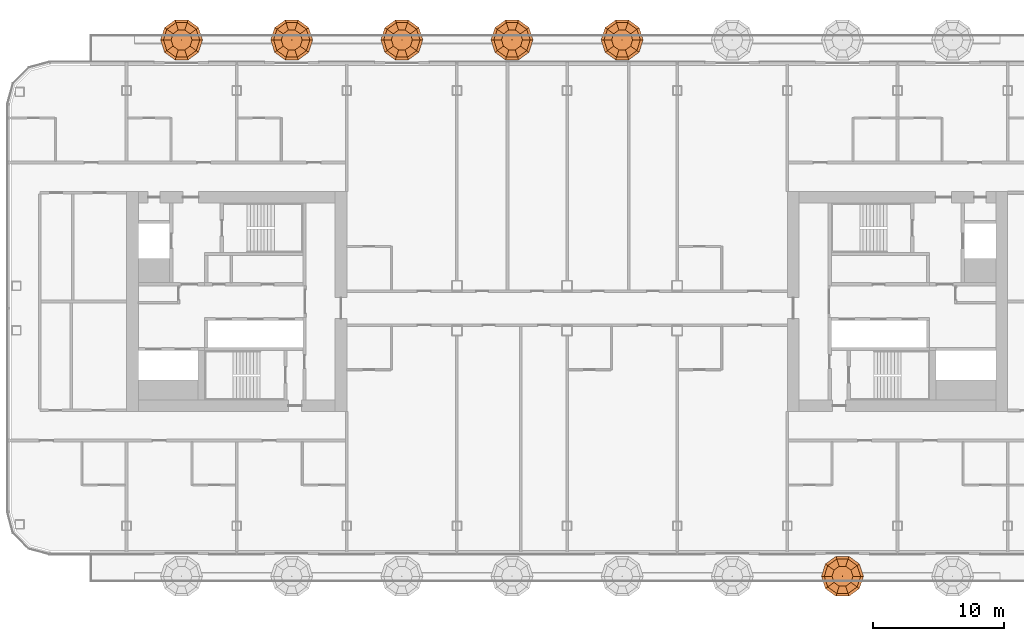
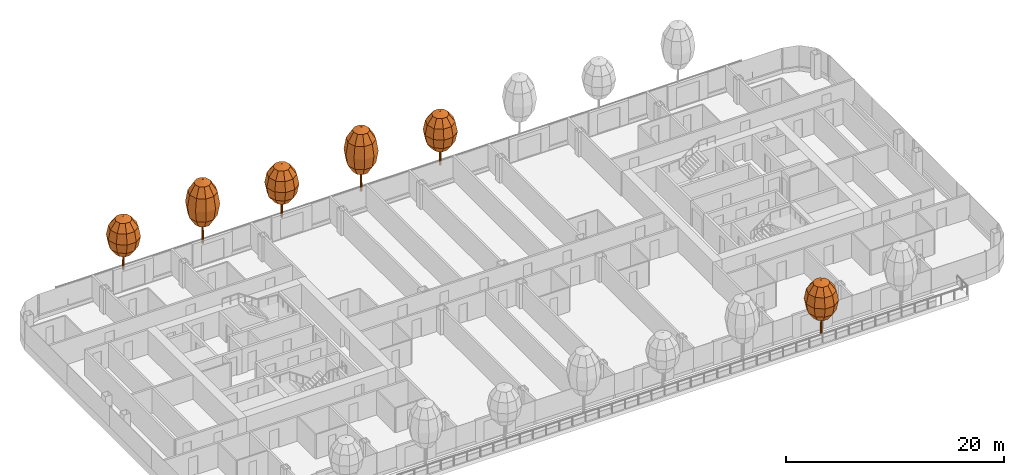
# One storey, part 28 of 29: 6 geographic elements.
"""IFC4 building model written with IfcOpenShell, lengths in metres."""

from ifc_helpers import new_model, si_unit, direction, frame, origin, place, context, subcontext, project, spatial, triangles, material, type_object, element, save


model = new_model("IFC4")

# Units and contexts
model_context = context("Model", 3, precision=1e-05, world=origin(), true_north=direction((0.0, 1.0)))
body_context = subcontext(model_context, "Body", "Model", "MODEL_VIEW")
ifc_project = project(units=[si_unit("LENGTHUNIT", "METRE"), si_unit("AREAUNIT", "SQUARE_METRE"), si_unit("VOLUMEUNIT", "CUBIC_METRE"), si_unit("PLANEANGLEUNIT", "RADIAN"), si_unit("MASSUNIT", "GRAM", prefix="KILO")], contexts=[model_context])

# Site, building, storey
site_placement = place(None, origin())
site = spatial("IfcSite", under=ifc_project, at=site_placement, CompositionType="ELEMENT")
building_placement = place(site_placement, origin())
building = spatial("IfcBuilding", under=site, at=building_placement, Name="Hakoniwa Tower and Hamabe Station Hall", CompositionType="ELEMENT")
storey_placement = place(building_placement, frame((0.0, 0.0, 163.0)))
storey = spatial("IfcBuildingStorey", under=building, at=storey_placement, Name="L46", CompositionType="ELEMENT", Elevation=163.0)

# Geographic elements
ifc_material_1 = material(Name="Tree foliage")
geographic_element_type_1 = type_object("IfcGeographicElementType", Name="Japanese maple 7.2 m", PredefinedType="USERDEFINED", material=ifc_material_1)
geographic_element_1_placement = place(storey_placement, frame((-21.0, 19.949951171875, 0.89990234375)))
element("IfcGeographicElement", 1, at=geographic_element_1_placement, inside=storey, type_object=geographic_element_type_1, Name="Japanese maple 7-2 m", ObjectType="TREE", PredefinedType="USERDEFINED", context=body_context, shape_type="Tessellation", body=[
    triangles([(0.125, 0.0, 0.0), (0.08837890625, 0.08837890625, 0.0), (0.0, 0.125, 0.0), (-0.08837890625, 0.08837890625, 0.0), (-0.125, 0.0, 0.0), (-0.08837890625, -0.08837890625, 0.0), (0.0, -0.125, 0.0), (0.08837890625, -0.08837890625, 0.0), (0.074951171875, 0.0, 4.348876953125), (0.052978515625, 0.052978515625, 4.348876953125), (0.0, 0.074951171875, 4.348876953125), (-0.052978515625, 0.052978515625, 4.348876953125), (-0.074951171875, 0.0, 4.348876953125), (-0.052978515625, -0.052978515625, 4.348876953125), (0.0, -0.074951171875, 4.348876953125), (0.052978515625, -0.052978515625, 4.348876953125), (0.0, 0.0, 0.0), (0.0, 0.0, 4.348876953125)], [[1, 2, 10], [1, 10, 9], [17, 2, 1], [18, 9, 10], [2, 3, 11], [2, 11, 10], [17, 3, 2], [18, 10, 11], [3, 4, 12], [3, 12, 11], [17, 4, 3], [18, 11, 12], [4, 5, 13], [4, 13, 12], [17, 5, 4], [18, 12, 13], [5, 6, 14], [5, 14, 13], [17, 6, 5], [18, 13, 14], [6, 7, 15], [6, 15, 14], [17, 7, 6], [18, 14, 15], [7, 8, 16], [7, 16, 15], [17, 8, 7], [18, 15, 16], [8, 1, 9], [8, 9, 16], [17, 1, 8], [18, 16, 9]], closed=True),
    triangles([(0.0, 0.0, 2.015869140625), (0.800048828125, 0.0, 2.36328125), (0.647216796875, 0.47021484375, 2.36328125), (0.247314453125, 0.7607421875, 2.36328125), (-0.247314453125, 0.7607421875, 2.36328125), (-0.647216796875, 0.47021484375, 2.36328125), (-0.800048828125, 0.0, 2.36328125), (-0.647216796875, -0.47021484375, 2.36328125), (-0.247314453125, -0.7607421875, 2.36328125), (0.247314453125, -0.7607421875, 2.36328125), (0.647216796875, -0.47021484375, 2.36328125), (1.385498046875, 0.0, 3.31201171875), (1.12109375, 0.814453125, 3.31201171875), (0.42822265625, 1.31787109375, 3.31201171875), (-0.42822265625, 1.31787109375, 3.31201171875), (-1.12109375, 0.814453125, 3.31201171875), (-1.385498046875, 0.0, 3.31201171875), (-1.12109375, -0.814453125, 3.31201171875), (-0.42822265625, -1.31787109375, 3.31201171875), (0.42822265625, -1.31787109375, 3.31201171875), (1.12109375, -0.814453125, 3.31201171875), (1.60009765625, 0.0, 4.60791015625), (1.29443359375, 0.9404296875, 4.60791015625), (0.494384765625, 1.521728515625, 4.60791015625), (-0.494384765625, 1.521728515625, 4.60791015625), (-1.29443359375, 0.9404296875, 4.60791015625), (-1.60009765625, 0.0, 4.60791015625), (-1.29443359375, -0.9404296875, 4.60791015625), (-0.494384765625, -1.521728515625, 4.60791015625), (0.494384765625, -1.521728515625, 4.60791015625), (1.29443359375, -0.9404296875, 4.60791015625), (1.385498046875, 0.0, 5.904052734375), (1.12109375, 0.814453125, 5.904052734375), (0.42822265625, 1.31787109375, 5.904052734375), (-0.42822265625, 1.31787109375, 5.904052734375), (-1.12109375, 0.814453125, 5.904052734375), (-1.385498046875, 0.0, 5.904052734375), (-1.12109375, -0.814453125, 5.904052734375), (-0.42822265625, -1.31787109375, 5.904052734375), (0.42822265625, -1.31787109375, 5.904052734375), (1.12109375, -0.814453125, 5.904052734375), (0.800048828125, 0.0, 6.852783203125), (0.647216796875, 0.47021484375, 6.852783203125), (0.247314453125, 0.7607421875, 6.852783203125), (-0.247314453125, 0.7607421875, 6.852783203125), (-0.647216796875, 0.47021484375, 6.852783203125), (-0.800048828125, 0.0, 6.852783203125), (-0.647216796875, -0.47021484375, 6.852783203125), (-0.247314453125, -0.7607421875, 6.852783203125), (0.247314453125, -0.7607421875, 6.852783203125), (0.647216796875, -0.47021484375, 6.852783203125), (0.0, 0.0, 7.199951171875)], [[1, 3, 2], [1, 4, 3], [1, 5, 4], [1, 6, 5], [1, 7, 6], [1, 8, 7], [1, 9, 8], [1, 10, 9], [1, 11, 10], [1, 2, 11], [2, 3, 13], [2, 13, 12], [3, 4, 14], [3, 14, 13], [4, 5, 15], [4, 15, 14], [5, 6, 16], [5, 16, 15], [6, 7, 17], [6, 17, 16], [7, 8, 18], [7, 18, 17], [8, 9, 19], [8, 19, 18], [9, 10, 20], [9, 20, 19], [10, 11, 21], [10, 21, 20], [11, 2, 12], [11, 12, 21], [12, 13, 23], [12, 23, 22], [13, 14, 24], [13, 24, 23], [14, 15, 25], [14, 25, 24], [15, 16, 26], [15, 26, 25], [16, 17, 27], [16, 27, 26], [17, 18, 28], [17, 28, 27], [18, 19, 29], [18, 29, 28], [19, 20, 30], [19, 30, 29], [20, 21, 31], [20, 31, 30], [21, 12, 22], [21, 22, 31], [22, 23, 33], [22, 33, 32], [23, 24, 34], [23, 34, 33], [24, 25, 35], [24, 35, 34], [25, 26, 36], [25, 36, 35], [26, 27, 37], [26, 37, 36], [27, 28, 38], [27, 38, 37], [28, 29, 39], [28, 39, 38], [29, 30, 40], [29, 40, 39], [30, 31, 41], [30, 41, 40], [31, 22, 32], [31, 32, 41], [32, 33, 43], [32, 43, 42], [33, 34, 44], [33, 44, 43], [34, 35, 45], [34, 45, 44], [35, 36, 46], [35, 46, 45], [36, 37, 47], [36, 47, 46], [37, 38, 48], [37, 48, 47], [38, 39, 49], [38, 49, 48], [39, 40, 50], [39, 50, 49], [40, 41, 51], [40, 51, 50], [41, 32, 42], [41, 42, 51], [52, 42, 43], [52, 43, 44], [52, 44, 45], [52, 45, 46], [52, 46, 47], [52, 47, 48], [52, 48, 49], [52, 49, 50], [52, 50, 51], [52, 51, 42]], closed=True),
])
geographic_element_2_placement = place(storey_placement, frame((-4.199951171875, 19.949951171875, 0.89990234375)))
element("IfcGeographicElement", 2, at=geographic_element_2_placement, inside=storey, type_object=geographic_element_type_1, Name="Japanese maple 7-2 m", ObjectType="TREE", PredefinedType="USERDEFINED", context=body_context, shape_type="Tessellation", body=[
    triangles([(0.125, 0.0, 0.0), (0.08837890625, 0.08837890625, 0.0), (0.0, 0.125, 0.0), (-0.08837890625, 0.08837890625, 0.0), (-0.125, 0.0, 0.0), (-0.08837890625, -0.08837890625, 0.0), (0.0, -0.125, 0.0), (0.08837890625, -0.08837890625, 0.0), (0.074951171875, 0.0, 4.348876953125), (0.052978515625, 0.052978515625, 4.348876953125), (0.0, 0.074951171875, 4.348876953125), (-0.052978515625, 0.052978515625, 4.348876953125), (-0.074951171875, 0.0, 4.348876953125), (-0.052978515625, -0.052978515625, 4.348876953125), (0.0, -0.074951171875, 4.348876953125), (0.052978515625, -0.052978515625, 4.348876953125), (0.0, 0.0, 0.0), (0.0, 0.0, 4.348876953125)], [[1, 2, 10], [1, 10, 9], [17, 2, 1], [18, 9, 10], [2, 3, 11], [2, 11, 10], [17, 3, 2], [18, 10, 11], [3, 4, 12], [3, 12, 11], [17, 4, 3], [18, 11, 12], [4, 5, 13], [4, 13, 12], [17, 5, 4], [18, 12, 13], [5, 6, 14], [5, 14, 13], [17, 6, 5], [18, 13, 14], [6, 7, 15], [6, 15, 14], [17, 7, 6], [18, 14, 15], [7, 8, 16], [7, 16, 15], [17, 8, 7], [18, 15, 16], [8, 1, 9], [8, 9, 16], [17, 1, 8], [18, 16, 9]], closed=True),
    triangles([(0.0, 0.0, 2.015869140625), (0.800048828125, 0.0, 2.36328125), (0.647216796875, 0.47021484375, 2.36328125), (0.247314453125, 0.7607421875, 2.36328125), (-0.247314453125, 0.7607421875, 2.36328125), (-0.647216796875, 0.47021484375, 2.36328125), (-0.800048828125, 0.0, 2.36328125), (-0.647216796875, -0.47021484375, 2.36328125), (-0.247314453125, -0.7607421875, 2.36328125), (0.247314453125, -0.7607421875, 2.36328125), (0.647216796875, -0.47021484375, 2.36328125), (1.385498046875, 0.0, 3.31201171875), (1.12109375, 0.814453125, 3.31201171875), (0.42822265625, 1.31787109375, 3.31201171875), (-0.42822265625, 1.31787109375, 3.31201171875), (-1.12109375, 0.814453125, 3.31201171875), (-1.385498046875, 0.0, 3.31201171875), (-1.12109375, -0.814453125, 3.31201171875), (-0.42822265625, -1.31787109375, 3.31201171875), (0.42822265625, -1.31787109375, 3.31201171875), (1.12109375, -0.814453125, 3.31201171875), (1.60009765625, 0.0, 4.60791015625), (1.29443359375, 0.9404296875, 4.60791015625), (0.494384765625, 1.521728515625, 4.60791015625), (-0.494384765625, 1.521728515625, 4.60791015625), (-1.29443359375, 0.9404296875, 4.60791015625), (-1.60009765625, 0.0, 4.60791015625), (-1.29443359375, -0.9404296875, 4.60791015625), (-0.494384765625, -1.521728515625, 4.60791015625), (0.494384765625, -1.521728515625, 4.60791015625), (1.29443359375, -0.9404296875, 4.60791015625), (1.385498046875, 0.0, 5.904052734375), (1.12109375, 0.814453125, 5.904052734375), (0.42822265625, 1.31787109375, 5.904052734375), (-0.42822265625, 1.31787109375, 5.904052734375), (-1.12109375, 0.814453125, 5.904052734375), (-1.385498046875, 0.0, 5.904052734375), (-1.12109375, -0.814453125, 5.904052734375), (-0.42822265625, -1.31787109375, 5.904052734375), (0.42822265625, -1.31787109375, 5.904052734375), (1.12109375, -0.814453125, 5.904052734375), (0.800048828125, 0.0, 6.852783203125), (0.647216796875, 0.47021484375, 6.852783203125), (0.247314453125, 0.7607421875, 6.852783203125), (-0.247314453125, 0.7607421875, 6.852783203125), (-0.647216796875, 0.47021484375, 6.852783203125), (-0.800048828125, 0.0, 6.852783203125), (-0.647216796875, -0.47021484375, 6.852783203125), (-0.247314453125, -0.7607421875, 6.852783203125), (0.247314453125, -0.7607421875, 6.852783203125), (0.647216796875, -0.47021484375, 6.852783203125), (0.0, 0.0, 7.199951171875)], [[1, 3, 2], [1, 4, 3], [1, 5, 4], [1, 6, 5], [1, 7, 6], [1, 8, 7], [1, 9, 8], [1, 10, 9], [1, 11, 10], [1, 2, 11], [2, 3, 13], [2, 13, 12], [3, 4, 14], [3, 14, 13], [4, 5, 15], [4, 15, 14], [5, 6, 16], [5, 16, 15], [6, 7, 17], [6, 17, 16], [7, 8, 18], [7, 18, 17], [8, 9, 19], [8, 19, 18], [9, 10, 20], [9, 20, 19], [10, 11, 21], [10, 21, 20], [11, 2, 12], [11, 12, 21], [12, 13, 23], [12, 23, 22], [13, 14, 24], [13, 24, 23], [14, 15, 25], [14, 25, 24], [15, 16, 26], [15, 26, 25], [16, 17, 27], [16, 27, 26], [17, 18, 28], [17, 28, 27], [18, 19, 29], [18, 29, 28], [19, 20, 30], [19, 30, 29], [20, 21, 31], [20, 31, 30], [21, 12, 22], [21, 22, 31], [22, 23, 33], [22, 33, 32], [23, 24, 34], [23, 34, 33], [24, 25, 35], [24, 35, 34], [25, 26, 36], [25, 36, 35], [26, 27, 37], [26, 37, 36], [27, 28, 38], [27, 38, 37], [28, 29, 39], [28, 39, 38], [29, 30, 40], [29, 40, 39], [30, 31, 41], [30, 41, 40], [31, 22, 32], [31, 32, 41], [32, 33, 43], [32, 43, 42], [33, 34, 44], [33, 44, 43], [34, 35, 45], [34, 45, 44], [35, 36, 46], [35, 46, 45], [36, 37, 47], [36, 47, 46], [37, 38, 48], [37, 48, 47], [38, 39, 49], [38, 49, 48], [39, 40, 50], [39, 50, 49], [40, 41, 51], [40, 51, 50], [41, 32, 42], [41, 42, 51], [52, 42, 43], [52, 43, 44], [52, 44, 45], [52, 45, 46], [52, 46, 47], [52, 47, 48], [52, 48, 49], [52, 49, 50], [52, 50, 51], [52, 51, 42]], closed=True),
])
ifc_material_2 = material(Name="Tree foliage")
geographic_element_type_2 = type_object("IfcGeographicElementType", Name="Osmanthus 6.0 m", PredefinedType="USERDEFINED", material=ifc_material_2)
geographic_element_3_placement = place(storey_placement, frame((-29.39990234375, 19.949951171875, 0.89990234375)))
element("IfcGeographicElement", 3, at=geographic_element_3_placement, inside=storey, type_object=geographic_element_type_2, Name="Osmanthus 6-0 m", ObjectType="TREE", PredefinedType="USERDEFINED", context=body_context, shape_type="Tessellation", body=[
    triangles([(0.125, 0.0, 0.0), (0.08837890625, 0.08837890625, 0.0), (0.0, 0.125, 0.0), (-0.08837890625, 0.08837890625, 0.0), (-0.125, 0.0, 0.0), (-0.08837890625, -0.08837890625, 0.0), (0.0, -0.125, 0.0), (0.08837890625, -0.08837890625, 0.0), (0.074951171875, 0.0, 3.6240234375), (0.052978515625, 0.052978515625, 3.6240234375), (0.0, 0.074951171875, 3.6240234375), (-0.052978515625, 0.052978515625, 3.6240234375), (-0.074951171875, 0.0, 3.6240234375), (-0.052978515625, -0.052978515625, 3.6240234375), (0.0, -0.074951171875, 3.6240234375), (0.052978515625, -0.052978515625, 3.6240234375), (0.0, 0.0, 0.0), (0.0, 0.0, 3.6240234375)], [[1, 2, 10], [1, 10, 9], [17, 2, 1], [18, 9, 10], [2, 3, 11], [2, 11, 10], [17, 3, 2], [18, 10, 11], [3, 4, 12], [3, 12, 11], [17, 4, 3], [18, 11, 12], [4, 5, 13], [4, 13, 12], [17, 5, 4], [18, 12, 13], [5, 6, 14], [5, 14, 13], [17, 6, 5], [18, 13, 14], [6, 7, 15], [6, 15, 14], [17, 7, 6], [18, 14, 15], [7, 8, 16], [7, 16, 15], [17, 8, 7], [18, 15, 16], [8, 1, 9], [8, 9, 16], [17, 1, 8], [18, 16, 9]], closed=True),
    triangles([(0.0, 0.0, 1.679931640625), (0.800048828125, 0.0, 1.969482421875), (0.647216796875, 0.47021484375, 1.969482421875), (0.247314453125, 0.7607421875, 1.969482421875), (-0.247314453125, 0.7607421875, 1.969482421875), (-0.647216796875, 0.47021484375, 1.969482421875), (-0.800048828125, 0.0, 1.969482421875), (-0.647216796875, -0.47021484375, 1.969482421875), (-0.247314453125, -0.7607421875, 1.969482421875), (0.247314453125, -0.7607421875, 1.969482421875), (0.647216796875, -0.47021484375, 1.969482421875), (1.385498046875, 0.0, 2.760009765625), (1.12109375, 0.814453125, 2.760009765625), (0.42822265625, 1.31787109375, 2.760009765625), (-0.42822265625, 1.31787109375, 2.760009765625), (-1.12109375, 0.814453125, 2.760009765625), (-1.385498046875, 0.0, 2.760009765625), (-1.12109375, -0.814453125, 2.760009765625), (-0.42822265625, -1.31787109375, 2.760009765625), (0.42822265625, -1.31787109375, 2.760009765625), (1.12109375, -0.814453125, 2.760009765625), (1.60009765625, 0.0, 3.840087890625), (1.29443359375, 0.9404296875, 3.840087890625), (0.494384765625, 1.521728515625, 3.840087890625), (-0.494384765625, 1.521728515625, 3.840087890625), (-1.29443359375, 0.9404296875, 3.840087890625), (-1.60009765625, 0.0, 3.840087890625), (-1.29443359375, -0.9404296875, 3.840087890625), (-0.494384765625, -1.521728515625, 3.840087890625), (0.494384765625, -1.521728515625, 3.840087890625), (1.29443359375, -0.9404296875, 3.840087890625), (1.385498046875, 0.0, 4.919921875), (1.12109375, 0.814453125, 4.919921875), (0.42822265625, 1.31787109375, 4.919921875), (-0.42822265625, 1.31787109375, 4.919921875), (-1.12109375, 0.814453125, 4.919921875), (-1.385498046875, 0.0, 4.919921875), (-1.12109375, -0.814453125, 4.919921875), (-0.42822265625, -1.31787109375, 4.919921875), (0.42822265625, -1.31787109375, 4.919921875), (1.12109375, -0.814453125, 4.919921875), (0.800048828125, 0.0, 5.710693359375), (0.647216796875, 0.47021484375, 5.710693359375), (0.247314453125, 0.7607421875, 5.710693359375), (-0.247314453125, 0.7607421875, 5.710693359375), (-0.647216796875, 0.47021484375, 5.710693359375), (-0.800048828125, 0.0, 5.710693359375), (-0.647216796875, -0.47021484375, 5.710693359375), (-0.247314453125, -0.7607421875, 5.710693359375), (0.247314453125, -0.7607421875, 5.710693359375), (0.647216796875, -0.47021484375, 5.710693359375), (0.0, 0.0, 6.0)], [[1, 3, 2], [1, 4, 3], [1, 5, 4], [1, 6, 5], [1, 7, 6], [1, 8, 7], [1, 9, 8], [1, 10, 9], [1, 11, 10], [1, 2, 11], [2, 3, 13], [2, 13, 12], [3, 4, 14], [3, 14, 13], [4, 5, 15], [4, 15, 14], [5, 6, 16], [5, 16, 15], [6, 7, 17], [6, 17, 16], [7, 8, 18], [7, 18, 17], [8, 9, 19], [8, 19, 18], [9, 10, 20], [9, 20, 19], [10, 11, 21], [10, 21, 20], [11, 2, 12], [11, 12, 21], [12, 13, 23], [12, 23, 22], [13, 14, 24], [13, 24, 23], [14, 15, 25], [14, 25, 24], [15, 16, 26], [15, 26, 25], [16, 17, 27], [16, 27, 26], [17, 18, 28], [17, 28, 27], [18, 19, 29], [18, 29, 28], [19, 20, 30], [19, 30, 29], [20, 21, 31], [20, 31, 30], [21, 12, 22], [21, 22, 31], [22, 23, 33], [22, 33, 32], [23, 24, 34], [23, 34, 33], [24, 25, 35], [24, 35, 34], [25, 26, 36], [25, 36, 35], [26, 27, 37], [26, 37, 36], [27, 28, 38], [27, 38, 37], [28, 29, 39], [28, 39, 38], [29, 30, 40], [29, 40, 39], [30, 31, 41], [30, 41, 40], [31, 22, 32], [31, 32, 41], [32, 33, 43], [32, 43, 42], [33, 34, 44], [33, 44, 43], [34, 35, 45], [34, 45, 44], [35, 36, 46], [35, 46, 45], [36, 37, 47], [36, 47, 46], [37, 38, 48], [37, 48, 47], [38, 39, 49], [38, 49, 48], [39, 40, 50], [39, 50, 49], [40, 41, 51], [40, 51, 50], [41, 32, 42], [41, 42, 51], [52, 42, 43], [52, 43, 44], [52, 44, 45], [52, 45, 46], [52, 46, 47], [52, 47, 48], [52, 48, 49], [52, 49, 50], [52, 50, 51], [52, 51, 42]], closed=True),
])
geographic_element_4_placement = place(storey_placement, frame((-12.60009765625, 19.949951171875, 0.89990234375)))
element("IfcGeographicElement", 4, at=geographic_element_4_placement, inside=storey, type_object=geographic_element_type_2, Name="Osmanthus 6-0 m", ObjectType="TREE", PredefinedType="USERDEFINED", context=body_context, shape_type="Tessellation", body=[
    triangles([(0.125, 0.0, 0.0), (0.08837890625, 0.08837890625, 0.0), (0.0, 0.125, 0.0), (-0.08837890625, 0.08837890625, 0.0), (-0.125, 0.0, 0.0), (-0.08837890625, -0.08837890625, 0.0), (0.0, -0.125, 0.0), (0.08837890625, -0.08837890625, 0.0), (0.074951171875, 0.0, 3.6240234375), (0.052978515625, 0.052978515625, 3.6240234375), (0.0, 0.074951171875, 3.6240234375), (-0.052978515625, 0.052978515625, 3.6240234375), (-0.074951171875, 0.0, 3.6240234375), (-0.052978515625, -0.052978515625, 3.6240234375), (0.0, -0.074951171875, 3.6240234375), (0.052978515625, -0.052978515625, 3.6240234375), (0.0, 0.0, 0.0), (0.0, 0.0, 3.6240234375)], [[1, 2, 10], [1, 10, 9], [17, 2, 1], [18, 9, 10], [2, 3, 11], [2, 11, 10], [17, 3, 2], [18, 10, 11], [3, 4, 12], [3, 12, 11], [17, 4, 3], [18, 11, 12], [4, 5, 13], [4, 13, 12], [17, 5, 4], [18, 12, 13], [5, 6, 14], [5, 14, 13], [17, 6, 5], [18, 13, 14], [6, 7, 15], [6, 15, 14], [17, 7, 6], [18, 14, 15], [7, 8, 16], [7, 16, 15], [17, 8, 7], [18, 15, 16], [8, 1, 9], [8, 9, 16], [17, 1, 8], [18, 16, 9]], closed=True),
    triangles([(0.0, 0.0, 1.679931640625), (0.800048828125, 0.0, 1.969482421875), (0.647216796875, 0.47021484375, 1.969482421875), (0.247314453125, 0.7607421875, 1.969482421875), (-0.247314453125, 0.7607421875, 1.969482421875), (-0.647216796875, 0.47021484375, 1.969482421875), (-0.800048828125, 0.0, 1.969482421875), (-0.647216796875, -0.47021484375, 1.969482421875), (-0.247314453125, -0.7607421875, 1.969482421875), (0.247314453125, -0.7607421875, 1.969482421875), (0.647216796875, -0.47021484375, 1.969482421875), (1.385498046875, 0.0, 2.760009765625), (1.12109375, 0.814453125, 2.760009765625), (0.42822265625, 1.31787109375, 2.760009765625), (-0.42822265625, 1.31787109375, 2.760009765625), (-1.12109375, 0.814453125, 2.760009765625), (-1.385498046875, 0.0, 2.760009765625), (-1.12109375, -0.814453125, 2.760009765625), (-0.42822265625, -1.31787109375, 2.760009765625), (0.42822265625, -1.31787109375, 2.760009765625), (1.12109375, -0.814453125, 2.760009765625), (1.60009765625, 0.0, 3.840087890625), (1.29443359375, 0.9404296875, 3.840087890625), (0.494384765625, 1.521728515625, 3.840087890625), (-0.494384765625, 1.521728515625, 3.840087890625), (-1.29443359375, 0.9404296875, 3.840087890625), (-1.60009765625, 0.0, 3.840087890625), (-1.29443359375, -0.9404296875, 3.840087890625), (-0.494384765625, -1.521728515625, 3.840087890625), (0.494384765625, -1.521728515625, 3.840087890625), (1.29443359375, -0.9404296875, 3.840087890625), (1.385498046875, 0.0, 4.919921875), (1.12109375, 0.814453125, 4.919921875), (0.42822265625, 1.31787109375, 4.919921875), (-0.42822265625, 1.31787109375, 4.919921875), (-1.12109375, 0.814453125, 4.919921875), (-1.385498046875, 0.0, 4.919921875), (-1.12109375, -0.814453125, 4.919921875), (-0.42822265625, -1.31787109375, 4.919921875), (0.42822265625, -1.31787109375, 4.919921875), (1.12109375, -0.814453125, 4.919921875), (0.800048828125, 0.0, 5.710693359375), (0.647216796875, 0.47021484375, 5.710693359375), (0.247314453125, 0.7607421875, 5.710693359375), (-0.247314453125, 0.7607421875, 5.710693359375), (-0.647216796875, 0.47021484375, 5.710693359375), (-0.800048828125, 0.0, 5.710693359375), (-0.647216796875, -0.47021484375, 5.710693359375), (-0.247314453125, -0.7607421875, 5.710693359375), (0.247314453125, -0.7607421875, 5.710693359375), (0.647216796875, -0.47021484375, 5.710693359375), (0.0, 0.0, 6.0)], [[1, 3, 2], [1, 4, 3], [1, 5, 4], [1, 6, 5], [1, 7, 6], [1, 8, 7], [1, 9, 8], [1, 10, 9], [1, 11, 10], [1, 2, 11], [2, 3, 13], [2, 13, 12], [3, 4, 14], [3, 14, 13], [4, 5, 15], [4, 15, 14], [5, 6, 16], [5, 16, 15], [6, 7, 17], [6, 17, 16], [7, 8, 18], [7, 18, 17], [8, 9, 19], [8, 19, 18], [9, 10, 20], [9, 20, 19], [10, 11, 21], [10, 21, 20], [11, 2, 12], [11, 12, 21], [12, 13, 23], [12, 23, 22], [13, 14, 24], [13, 24, 23], [14, 15, 25], [14, 25, 24], [15, 16, 26], [15, 26, 25], [16, 17, 27], [16, 27, 26], [17, 18, 28], [17, 28, 27], [18, 19, 29], [18, 29, 28], [19, 20, 30], [19, 30, 29], [20, 21, 31], [20, 31, 30], [21, 12, 22], [21, 22, 31], [22, 23, 33], [22, 33, 32], [23, 24, 34], [23, 34, 33], [24, 25, 35], [24, 35, 34], [25, 26, 36], [25, 36, 35], [26, 27, 37], [26, 37, 36], [27, 28, 38], [27, 38, 37], [28, 29, 39], [28, 39, 38], [29, 30, 40], [29, 40, 39], [30, 31, 41], [30, 41, 40], [31, 22, 32], [31, 32, 41], [32, 33, 43], [32, 43, 42], [33, 34, 44], [33, 44, 43], [34, 35, 45], [34, 45, 44], [35, 36, 46], [35, 46, 45], [36, 37, 47], [36, 47, 46], [37, 38, 48], [37, 48, 47], [38, 39, 49], [38, 49, 48], [39, 40, 50], [39, 50, 49], [40, 41, 51], [40, 51, 50], [41, 32, 42], [41, 42, 51], [52, 42, 43], [52, 43, 44], [52, 44, 45], [52, 45, 46], [52, 46, 47], [52, 47, 48], [52, 48, 49], [52, 49, 50], [52, 50, 51], [52, 51, 42]], closed=True),
])
geographic_element_5_placement = place(storey_placement, frame((4.199951171875, 19.949951171875, 0.89990234375)))
element("IfcGeographicElement", 5, at=geographic_element_5_placement, inside=storey, type_object=geographic_element_type_2, Name="Osmanthus 6-0 m", ObjectType="TREE", PredefinedType="USERDEFINED", context=body_context, shape_type="Tessellation", body=[
    triangles([(0.125, 0.0, 0.0), (0.08837890625, 0.08837890625, 0.0), (0.0, 0.125, 0.0), (-0.08837890625, 0.08837890625, 0.0), (-0.125, 0.0, 0.0), (-0.08837890625, -0.08837890625, 0.0), (0.0, -0.125, 0.0), (0.08837890625, -0.08837890625, 0.0), (0.074951171875, 0.0, 3.6240234375), (0.052978515625, 0.052978515625, 3.6240234375), (0.0, 0.074951171875, 3.6240234375), (-0.052978515625, 0.052978515625, 3.6240234375), (-0.074951171875, 0.0, 3.6240234375), (-0.052978515625, -0.052978515625, 3.6240234375), (0.0, -0.074951171875, 3.6240234375), (0.052978515625, -0.052978515625, 3.6240234375), (0.0, 0.0, 0.0), (0.0, 0.0, 3.6240234375)], [[1, 2, 10], [1, 10, 9], [17, 2, 1], [18, 9, 10], [2, 3, 11], [2, 11, 10], [17, 3, 2], [18, 10, 11], [3, 4, 12], [3, 12, 11], [17, 4, 3], [18, 11, 12], [4, 5, 13], [4, 13, 12], [17, 5, 4], [18, 12, 13], [5, 6, 14], [5, 14, 13], [17, 6, 5], [18, 13, 14], [6, 7, 15], [6, 15, 14], [17, 7, 6], [18, 14, 15], [7, 8, 16], [7, 16, 15], [17, 8, 7], [18, 15, 16], [8, 1, 9], [8, 9, 16], [17, 1, 8], [18, 16, 9]], closed=True),
    triangles([(0.0, 0.0, 1.679931640625), (0.800048828125, 0.0, 1.969482421875), (0.647216796875, 0.47021484375, 1.969482421875), (0.247314453125, 0.7607421875, 1.969482421875), (-0.247314453125, 0.7607421875, 1.969482421875), (-0.647216796875, 0.47021484375, 1.969482421875), (-0.800048828125, 0.0, 1.969482421875), (-0.647216796875, -0.47021484375, 1.969482421875), (-0.247314453125, -0.7607421875, 1.969482421875), (0.247314453125, -0.7607421875, 1.969482421875), (0.647216796875, -0.47021484375, 1.969482421875), (1.385498046875, 0.0, 2.760009765625), (1.12109375, 0.814453125, 2.760009765625), (0.42822265625, 1.31787109375, 2.760009765625), (-0.42822265625, 1.31787109375, 2.760009765625), (-1.12109375, 0.814453125, 2.760009765625), (-1.385498046875, 0.0, 2.760009765625), (-1.12109375, -0.814453125, 2.760009765625), (-0.42822265625, -1.31787109375, 2.760009765625), (0.42822265625, -1.31787109375, 2.760009765625), (1.12109375, -0.814453125, 2.760009765625), (1.60009765625, 0.0, 3.840087890625), (1.29443359375, 0.9404296875, 3.840087890625), (0.494384765625, 1.521728515625, 3.840087890625), (-0.494384765625, 1.521728515625, 3.840087890625), (-1.29443359375, 0.9404296875, 3.840087890625), (-1.60009765625, 0.0, 3.840087890625), (-1.29443359375, -0.9404296875, 3.840087890625), (-0.494384765625, -1.521728515625, 3.840087890625), (0.494384765625, -1.521728515625, 3.840087890625), (1.29443359375, -0.9404296875, 3.840087890625), (1.385498046875, 0.0, 4.919921875), (1.12109375, 0.814453125, 4.919921875), (0.42822265625, 1.31787109375, 4.919921875), (-0.42822265625, 1.31787109375, 4.919921875), (-1.12109375, 0.814453125, 4.919921875), (-1.385498046875, 0.0, 4.919921875), (-1.12109375, -0.814453125, 4.919921875), (-0.42822265625, -1.31787109375, 4.919921875), (0.42822265625, -1.31787109375, 4.919921875), (1.12109375, -0.814453125, 4.919921875), (0.800048828125, 0.0, 5.710693359375), (0.647216796875, 0.47021484375, 5.710693359375), (0.247314453125, 0.7607421875, 5.710693359375), (-0.247314453125, 0.7607421875, 5.710693359375), (-0.647216796875, 0.47021484375, 5.710693359375), (-0.800048828125, 0.0, 5.710693359375), (-0.647216796875, -0.47021484375, 5.710693359375), (-0.247314453125, -0.7607421875, 5.710693359375), (0.247314453125, -0.7607421875, 5.710693359375), (0.647216796875, -0.47021484375, 5.710693359375), (0.0, 0.0, 6.0)], [[1, 3, 2], [1, 4, 3], [1, 5, 4], [1, 6, 5], [1, 7, 6], [1, 8, 7], [1, 9, 8], [1, 10, 9], [1, 11, 10], [1, 2, 11], [2, 3, 13], [2, 13, 12], [3, 4, 14], [3, 14, 13], [4, 5, 15], [4, 15, 14], [5, 6, 16], [5, 16, 15], [6, 7, 17], [6, 17, 16], [7, 8, 18], [7, 18, 17], [8, 9, 19], [8, 19, 18], [9, 10, 20], [9, 20, 19], [10, 11, 21], [10, 21, 20], [11, 2, 12], [11, 12, 21], [12, 13, 23], [12, 23, 22], [13, 14, 24], [13, 24, 23], [14, 15, 25], [14, 25, 24], [15, 16, 26], [15, 26, 25], [16, 17, 27], [16, 27, 26], [17, 18, 28], [17, 28, 27], [18, 19, 29], [18, 29, 28], [19, 20, 30], [19, 30, 29], [20, 21, 31], [20, 31, 30], [21, 12, 22], [21, 22, 31], [22, 23, 33], [22, 33, 32], [23, 24, 34], [23, 34, 33], [24, 25, 35], [24, 35, 34], [25, 26, 36], [25, 36, 35], [26, 27, 37], [26, 37, 36], [27, 28, 38], [27, 38, 37], [28, 29, 39], [28, 39, 38], [29, 30, 40], [29, 40, 39], [30, 31, 41], [30, 41, 40], [31, 22, 32], [31, 32, 41], [32, 33, 43], [32, 43, 42], [33, 34, 44], [33, 44, 43], [34, 35, 45], [34, 45, 44], [35, 36, 46], [35, 46, 45], [36, 37, 47], [36, 47, 46], [37, 38, 48], [37, 48, 47], [38, 39, 49], [38, 49, 48], [39, 40, 50], [39, 50, 49], [40, 41, 51], [40, 51, 50], [41, 32, 42], [41, 42, 51], [52, 42, 43], [52, 43, 44], [52, 44, 45], [52, 45, 46], [52, 46, 47], [52, 47, 48], [52, 48, 49], [52, 49, 50], [52, 50, 51], [52, 51, 42]], closed=True),
])
geographic_element_6_placement = place(storey_placement, frame((21.0, -20.949951171875, 0.89990234375)))
element("IfcGeographicElement", 6, at=geographic_element_6_placement, inside=storey, type_object=geographic_element_type_2, Name="Osmanthus 6-0 m", ObjectType="TREE", PredefinedType="USERDEFINED", context=body_context, shape_type="Tessellation", body=[
    triangles([(0.125, 0.0, 0.0), (0.08837890625, 0.08837890625, 0.0), (0.0, 0.125, 0.0), (-0.08837890625, 0.08837890625, 0.0), (-0.125, 0.0, 0.0), (-0.08837890625, -0.08837890625, 0.0), (0.0, -0.125, 0.0), (0.08837890625, -0.08837890625, 0.0), (0.074951171875, 0.0, 3.6240234375), (0.052978515625, 0.052978515625, 3.6240234375), (0.0, 0.074951171875, 3.6240234375), (-0.052978515625, 0.052978515625, 3.6240234375), (-0.074951171875, 0.0, 3.6240234375), (-0.052978515625, -0.052978515625, 3.6240234375), (0.0, -0.074951171875, 3.6240234375), (0.052978515625, -0.052978515625, 3.6240234375), (0.0, 0.0, 0.0), (0.0, 0.0, 3.6240234375)], [[1, 2, 10], [1, 10, 9], [17, 2, 1], [18, 9, 10], [2, 3, 11], [2, 11, 10], [17, 3, 2], [18, 10, 11], [3, 4, 12], [3, 12, 11], [17, 4, 3], [18, 11, 12], [4, 5, 13], [4, 13, 12], [17, 5, 4], [18, 12, 13], [5, 6, 14], [5, 14, 13], [17, 6, 5], [18, 13, 14], [6, 7, 15], [6, 15, 14], [17, 7, 6], [18, 14, 15], [7, 8, 16], [7, 16, 15], [17, 8, 7], [18, 15, 16], [8, 1, 9], [8, 9, 16], [17, 1, 8], [18, 16, 9]], closed=True),
    triangles([(0.0, 0.0, 1.679931640625), (0.800048828125, 0.0, 1.969482421875), (0.647216796875, 0.47021484375, 1.969482421875), (0.247314453125, 0.7607421875, 1.969482421875), (-0.247314453125, 0.7607421875, 1.969482421875), (-0.647216796875, 0.47021484375, 1.969482421875), (-0.800048828125, 0.0, 1.969482421875), (-0.647216796875, -0.47021484375, 1.969482421875), (-0.247314453125, -0.7607421875, 1.969482421875), (0.247314453125, -0.7607421875, 1.969482421875), (0.647216796875, -0.47021484375, 1.969482421875), (1.385498046875, 0.0, 2.760009765625), (1.12109375, 0.814453125, 2.760009765625), (0.42822265625, 1.31787109375, 2.760009765625), (-0.42822265625, 1.31787109375, 2.760009765625), (-1.12109375, 0.814453125, 2.760009765625), (-1.385498046875, 0.0, 2.760009765625), (-1.12109375, -0.814453125, 2.760009765625), (-0.42822265625, -1.31787109375, 2.760009765625), (0.42822265625, -1.31787109375, 2.760009765625), (1.12109375, -0.814453125, 2.760009765625), (1.60009765625, 0.0, 3.840087890625), (1.29443359375, 0.9404296875, 3.840087890625), (0.494384765625, 1.521728515625, 3.840087890625), (-0.494384765625, 1.521728515625, 3.840087890625), (-1.29443359375, 0.9404296875, 3.840087890625), (-1.60009765625, 0.0, 3.840087890625), (-1.29443359375, -0.9404296875, 3.840087890625), (-0.494384765625, -1.521728515625, 3.840087890625), (0.494384765625, -1.521728515625, 3.840087890625), (1.29443359375, -0.9404296875, 3.840087890625), (1.385498046875, 0.0, 4.919921875), (1.12109375, 0.814453125, 4.919921875), (0.42822265625, 1.31787109375, 4.919921875), (-0.42822265625, 1.31787109375, 4.919921875), (-1.12109375, 0.814453125, 4.919921875), (-1.385498046875, 0.0, 4.919921875), (-1.12109375, -0.814453125, 4.919921875), (-0.42822265625, -1.31787109375, 4.919921875), (0.42822265625, -1.31787109375, 4.919921875), (1.12109375, -0.814453125, 4.919921875), (0.800048828125, 0.0, 5.710693359375), (0.647216796875, 0.47021484375, 5.710693359375), (0.247314453125, 0.7607421875, 5.710693359375), (-0.247314453125, 0.7607421875, 5.710693359375), (-0.647216796875, 0.47021484375, 5.710693359375), (-0.800048828125, 0.0, 5.710693359375), (-0.647216796875, -0.47021484375, 5.710693359375), (-0.247314453125, -0.7607421875, 5.710693359375), (0.247314453125, -0.7607421875, 5.710693359375), (0.647216796875, -0.47021484375, 5.710693359375), (0.0, 0.0, 6.0)], [[1, 3, 2], [1, 4, 3], [1, 5, 4], [1, 6, 5], [1, 7, 6], [1, 8, 7], [1, 9, 8], [1, 10, 9], [1, 11, 10], [1, 2, 11], [2, 3, 13], [2, 13, 12], [3, 4, 14], [3, 14, 13], [4, 5, 15], [4, 15, 14], [5, 6, 16], [5, 16, 15], [6, 7, 17], [6, 17, 16], [7, 8, 18], [7, 18, 17], [8, 9, 19], [8, 19, 18], [9, 10, 20], [9, 20, 19], [10, 11, 21], [10, 21, 20], [11, 2, 12], [11, 12, 21], [12, 13, 23], [12, 23, 22], [13, 14, 24], [13, 24, 23], [14, 15, 25], [14, 25, 24], [15, 16, 26], [15, 26, 25], [16, 17, 27], [16, 27, 26], [17, 18, 28], [17, 28, 27], [18, 19, 29], [18, 29, 28], [19, 20, 30], [19, 30, 29], [20, 21, 31], [20, 31, 30], [21, 12, 22], [21, 22, 31], [22, 23, 33], [22, 33, 32], [23, 24, 34], [23, 34, 33], [24, 25, 35], [24, 35, 34], [25, 26, 36], [25, 36, 35], [26, 27, 37], [26, 37, 36], [27, 28, 38], [27, 38, 37], [28, 29, 39], [28, 39, 38], [29, 30, 40], [29, 40, 39], [30, 31, 41], [30, 41, 40], [31, 22, 32], [31, 32, 41], [32, 33, 43], [32, 43, 42], [33, 34, 44], [33, 44, 43], [34, 35, 45], [34, 45, 44], [35, 36, 46], [35, 46, 45], [36, 37, 47], [36, 47, 46], [37, 38, 48], [37, 48, 47], [38, 39, 49], [38, 49, 48], [39, 40, 50], [39, 50, 49], [40, 41, 51], [40, 51, 50], [41, 32, 42], [41, 42, 51], [52, 42, 43], [52, 43, 44], [52, 44, 45], [52, 45, 46], [52, 46, 47], [52, 47, 48], [52, 48, 49], [52, 49, 50], [52, 50, 51], [52, 51, 42]], closed=True),
])

save(model, "model.ifc")
